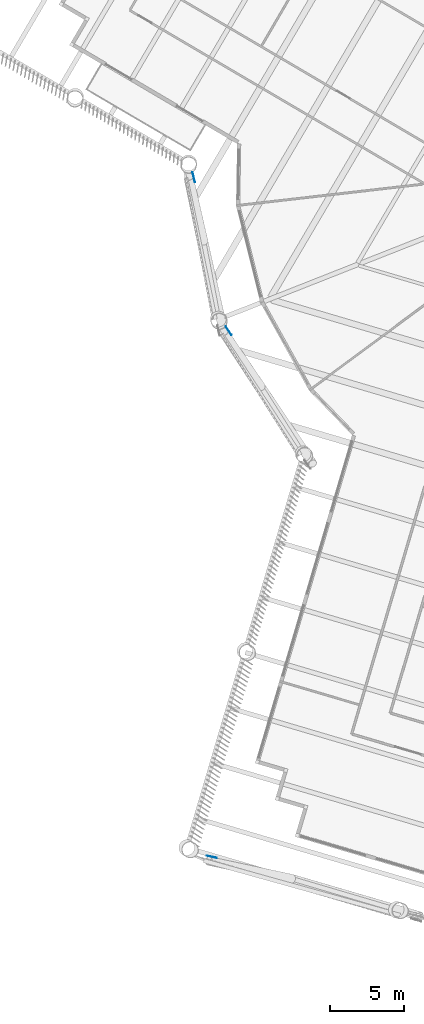
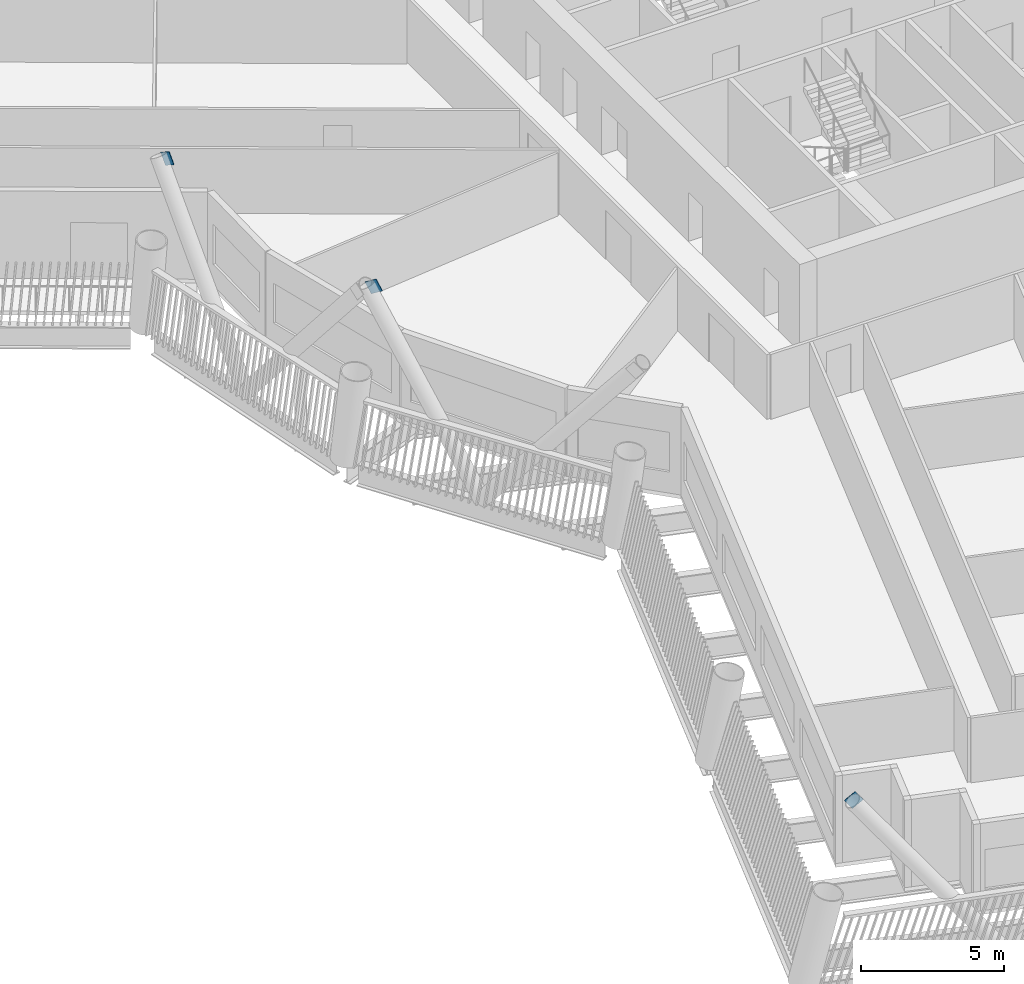
# One storey, part 13 of 23: 3 discrete accessories.
"""IFC4 building model written with IfcOpenShell, lengths in metres."""

from ifc_helpers import new_model, si_unit, direction, frame, origin, origin_2d, place, context, subcontext, project, spatial, rectangle, extrude, material, material_profile, profile_set, type_object, element, save


model = new_model("IFC4")

# Units and contexts
model_context = context("Model", 3, precision=1e-05, world=origin(), true_north=direction((0.0, 1.0)))
body_context = subcontext(model_context, "Body", "Model", "MODEL_VIEW")
ifc_project = project(units=[si_unit("LENGTHUNIT", "METRE"), si_unit("AREAUNIT", "SQUARE_METRE"), si_unit("VOLUMEUNIT", "CUBIC_METRE"), si_unit("PLANEANGLEUNIT", "RADIAN"), si_unit("MASSUNIT", "GRAM", prefix="KILO")], contexts=[model_context])

# Site, building, storey
site_placement = place(None, origin())
site = spatial("IfcSite", under=ifc_project, at=site_placement, CompositionType="ELEMENT")
building_placement = place(site_placement, origin())
building = spatial("IfcBuilding", under=site, at=building_placement, Name="Tarsis Ring Headquarters", CompositionType="ELEMENT")
storey_placement = place(building_placement, frame((0.0, 0.0, 155.39990234375)))
storey = spatial("IfcBuildingStorey", under=building, at=storey_placement, Name="L35", CompositionType="ELEMENT", Elevation=155.39990234375)

# Discrete accessories
ifc_material = material(Name="Structural steel S355", Category="steel")
ifc_material_profile = material_profile(ifc_material, rectangle(XDim=0.02490234375, YDim=0.5, at=origin_2d()), Name="PL 25x500")
ifc_profile_set = profile_set([ifc_material_profile], Name="Structural steel S355")
discrete_accessory_type = type_object("IfcDiscreteAccessoryType", Name="Gusset plate Exo brace 25", PredefinedType="BRACKET", material=ifc_profile_set)
for number, where, z_axis, x_axis, name in (
    (1, (-26.408935546875, -11.330322265625, 7.800048828125), (0.280279384882, -0.412606411543, -0.866717610046), (0.827199520786, 0.561908313528, 0.0), "Gusset plate GP5"),
    (2, (-27.614501953125, -47.025146484375, 7.800048828125), (0.5802186211, -0.124541875741, -0.804882396947), (0.209866307639, 0.977730092059, 0.0), "Gusset plate GP5"),
    (3, (-28.721923828125, -0.92822265625, 7.800048828125), (0.110841614353, -0.486335893813, -0.866713063774), (0.974998051204, 0.222213411268, 0.0), "Gusset plate GP5"),
):
    element("IfcDiscreteAccessory", number, at=place(storey_placement, frame(where, z_axis=z_axis, x_axis=x_axis)), inside=storey, type_object=discrete_accessory_type, Name=name, PredefinedType="BRACKET", context=body_context, shape_type="SweptSolid", body=[
        extrude(rectangle(XDim=0.02490234375, YDim=0.5, at=origin_2d()), origin(), (0.0, 0.0, 1.0), 0.5),
    ])

save(model, "model.ifc")
